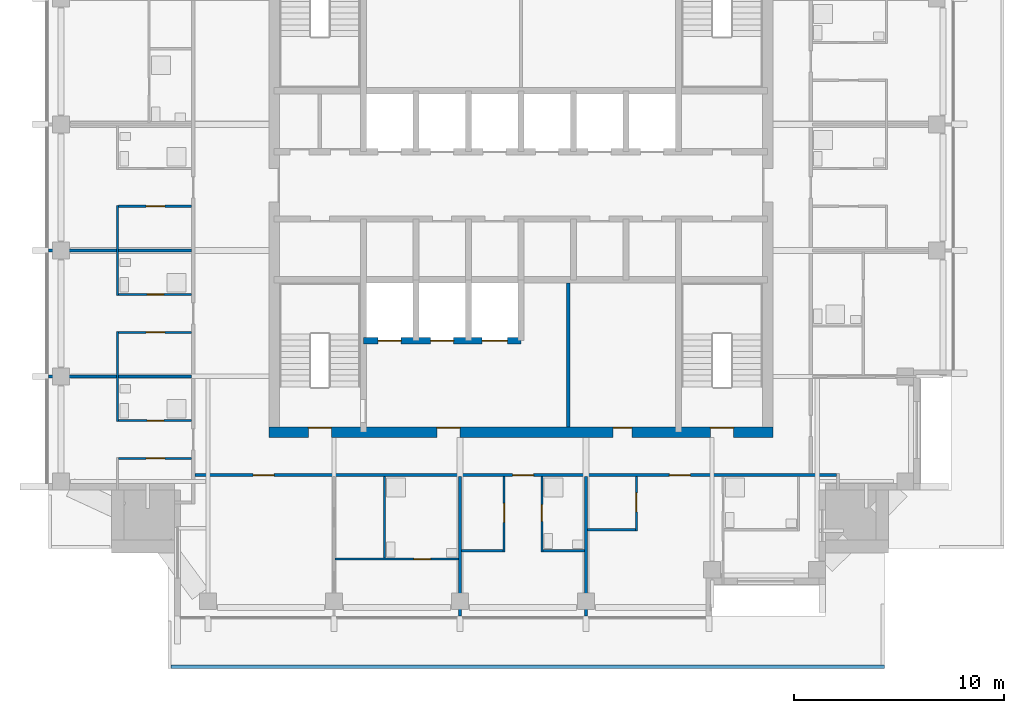
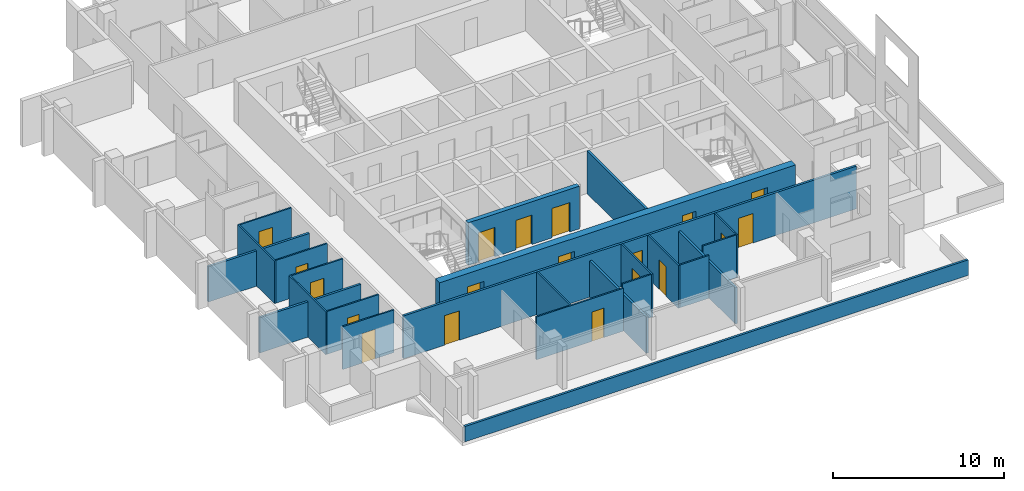
# One storey, part 4 of 11: 24 walls, 19 doors, 19 openings.
"""IFC4 building model written with IfcOpenShell, lengths in metres."""

import ifcopenshell
import ifcopenshell.guid

model = None  # the IFC model being written
_history = None  # IfcOwnerHistory: only IFC2X3 demands one
_inside = {}  # id of a spatial element -> (the spatial element, [elements in it])
_under = {}  # id of a project, library or spatial element -> (it, [spatial elements below it])
_declared = {}  # id of a project -> (the project, [libraries it declares])
_typed = {}  # id of a type object -> (the type object, [elements of that type])
_made_of = {}  # id of a material, layer set ... -> (it, [elements and type objects made of it])


def new_model(schema):
    """Start an empty IFC model of exactly this schema.

    Asked for "IFC4X3", IfcOpenShell would pick the latest addendum, in which some entities
    have other attributes; the version numbers below select the first issue.
    IFC2X3 requires an IfcOwnerHistory on every rooted entity: one is made here for all.
    """
    global model, _history
    if schema == "IFC4X3":
        model = ifcopenshell.file(schema_version=(4, 3, 0, 0))
    else:
        model = ifcopenshell.file(schema=schema)
    _inside.clear()
    _under.clear()
    _declared.clear()
    _typed.clear()
    _made_of.clear()
    _history = None
    if model.schema == "IFC2X3":
        org = make("IfcOrganization", Name="unknown")
        user = make(
            "IfcPersonAndOrganization",
            ThePerson=make("IfcPerson", FamilyName="unknown"),
            TheOrganization=org,
        )
        app = make(
            "IfcApplication",
            ApplicationDeveloper=org,
            Version="unknown",
            ApplicationFullName="unknown",
            ApplicationIdentifier="unknown",
        )
        _history = make(
            "IfcOwnerHistory",
            OwningUser=user,
            OwningApplication=app,
            ChangeAction="ADDED",
            CreationDate=0,
        )
    return model


def make(cls, **values):
    """One entity of the class cls with the attributes given. An attribute that is None is left unset."""
    return model.create_entity(
        cls, **{name: value for name, value in values.items() if value is not None}
    )


def rooted(cls, **values):
    """An entity with a GlobalId (a new one), such as an element, a storey or a relation."""
    return make(cls, GlobalId=ifcopenshell.guid.new(), OwnerHistory=_history, **values)


def si_unit(unit_type, name, prefix=None):
    """IfcSIUnit, for example si_unit("LENGTHUNIT", "METRE", prefix="MILLI")."""
    return make("IfcSIUnit", UnitType=unit_type, Prefix=prefix, Name=name)


def assignment(units):
    """IfcUnitAssignment: the units of a project."""
    return None if units is None else make("IfcUnitAssignment", Units=units)


def point(xyz):
    """IfcCartesianPoint."""
    return None if xyz is None else make("IfcCartesianPoint", Coordinates=xyz)


def direction(xyz):
    """IfcDirection."""
    return None if xyz is None else make("IfcDirection", DirectionRatios=xyz)


def frame(location, z_axis=None, x_axis=None):
    """IfcAxis2Placement3D, a coordinate frame: its origin and axes. An axis left out is left unset."""
    return make(
        "IfcAxis2Placement3D",
        Location=point(location),
        Axis=direction(z_axis),
        RefDirection=direction(x_axis),
    )


def frame_2d(location, x_axis=None):
    """IfcAxis2Placement2D, a coordinate frame in the plane: its origin and x axis."""
    return make(
        "IfcAxis2Placement2D", Location=point(location), RefDirection=direction(x_axis)
    )


def origin():
    """The frame at (0, 0, 0) with its axes left unset."""
    return frame((0.0, 0.0, 0.0))


def place(relative_to, where):
    """IfcLocalPlacement: puts the frame where relative to a parent placement (None: the world)."""
    return make(
        "IfcLocalPlacement", PlacementRelTo=relative_to, RelativePlacement=where
    )


def context(
    kind, dimensions, precision=None, world=None, true_north=None, identifier=None
):
    """IfcGeometricRepresentationContext, for example the 3D "Model" context."""
    return make(
        "IfcGeometricRepresentationContext",
        ContextIdentifier=identifier,
        ContextType=kind,
        CoordinateSpaceDimension=dimensions,
        Precision=precision,
        WorldCoordinateSystem=world,
        TrueNorth=true_north,
    )


def subcontext(parent, identifier, kind, view, scale=None):
    """IfcGeometricRepresentationSubContext, for example "Body" below "Model"."""
    return make(
        "IfcGeometricRepresentationSubContext",
        ContextIdentifier=identifier,
        ContextType=kind,
        ParentContext=parent,
        TargetScale=scale,
        TargetView=view,
    )


def project(units=None, contexts=None):
    """IfcProject with its units and contexts."""
    return rooted(
        "IfcProject",
        Name="project",
        RepresentationContexts=contexts,
        UnitsInContext=assignment(units),
    )


def spatial(cls, under=None, at=None, **own):
    """A site, building, storey or space (cls), placed at a placement, below another one or the project."""
    s = rooted(cls, ObjectPlacement=at, **own)
    if under is not None:
        _under.setdefault(under.id(), (under, []))[1].append(s)
    return s


def profile(cls, at=None, kind="AREA", **sizes):
    """A parametric profile (cls). Its sizes go by their IFC names, for example OverallWidth=200.0."""
    return make(cls, ProfileType=kind, Position=at, **sizes)


def rectangle(**sizes):
    """IfcRectangleProfileDef."""
    return profile("IfcRectangleProfileDef", **sizes)


def extrude(swept, where, along, depth):
    """IfcExtrudedAreaSolid: the profile swept, set in the frame where, extruded along a direction by depth."""
    return make(
        "IfcExtrudedAreaSolid",
        SweptArea=swept,
        Position=where,
        ExtrudedDirection=direction(along),
        Depth=depth,
    )


def shape(context_of_items, identifier, shape_type, items):
    """IfcShapeRepresentation: the items that make up one representation, for example the "Body"."""
    return make(
        "IfcShapeRepresentation",
        ContextOfItems=context_of_items,
        RepresentationIdentifier=identifier,
        RepresentationType=shape_type,
        Items=items,
    )


def material(Name=None, Category=None):
    """IfcMaterial."""
    return make("IfcMaterial", Name=Name, Category=Category)


def layer(
    of_material, thickness, ventilated=None, Name=None, Category=None, Priority=None
):
    """IfcMaterialLayer: one layer of a wall or slab, of a material (None: an air gap)."""
    return make(
        "IfcMaterialLayer",
        Material=of_material,
        LayerThickness=thickness,
        IsVentilated=ventilated,
        Name=Name,
        Category=Category,
        Priority=Priority,
    )


def layer_set(layers, Name=None):
    """IfcMaterialLayerSet."""
    return make("IfcMaterialLayerSet", MaterialLayers=layers, LayerSetName=Name)


def made_of(thing, what):
    """Note that an element or type object is made of a material, layer set ...; save() writes the relation."""
    if what is not None:
        _made_of.setdefault(what.id(), (what, []))[1].append(thing)
    return thing


def type_object(cls, material=None, **own):
    """A type object (cls), such as IfcWallType, which elements share."""
    return made_of(rooted(cls, **own), material)


def element(
    cls,
    number,
    at=None,
    inside=None,
    cuts=None,
    type_object=None,
    material=None,
    context=None,
    identifier="Body",
    shape_type=None,
    held_by="IfcProductDefinitionShape",
    body=None,
    shapes=None,
    **own,
):
    """One element of the class cls, such as IfcWall. Its Tag is "e" and its number.

    at: its placement. inside: the storey or other place that contains it. cuts: it is an
    opening in that element (IfcRelVoidsElement). A single representation is given by context,
    identifier, shape_type and body (its items); several are given by shapes. held_by: the class
    of the entity that holds the representations. save() writes the other relations.
    """
    e = rooted(cls, Tag="e%d" % number, ObjectPlacement=at, **own)
    if body is not None:
        shapes = [shape(context, identifier, shape_type, body)]
    if shapes is not None:
        e.Representation = make(held_by, Representations=shapes)
    if inside is not None:
        _inside.setdefault(inside.id(), (inside, []))[1].append(e)
    if cuts is not None:
        rooted(
            "IfcRelVoidsElement", RelatingBuildingElement=cuts, RelatedOpeningElement=e
        )
    if type_object is not None:
        _typed.setdefault(type_object.id(), (type_object, []))[1].append(e)
    return made_of(e, material)


def fill(opening, filler):
    """IfcRelFillsElement: the door or window that sits in an opening."""
    return rooted(
        "IfcRelFillsElement",
        RelatingOpeningElement=opening,
        RelatedBuildingElement=filler,
    )


def aggregate(whole, parts):
    """IfcRelAggregates: a whole, such as a stair, and the parts it consists of."""
    return rooted("IfcRelAggregates", RelatingObject=whole, RelatedObjects=parts)


def save(model, path):
    """Write the relations noted so far, then the file.

    IfcRelAggregates (storeys below a building ...), IfcRelContainedInSpatialStructure (elements
    in a storey), IfcRelDefinesByType, IfcRelAssociatesMaterial and IfcRelDeclares: one each for
    every whole, place, type object, material and project.
    """
    for whole, parts in _under.values():
        aggregate(whole, parts)
    for where, things in _inside.values():
        rooted(
            "IfcRelContainedInSpatialStructure",
            RelatedElements=things,
            RelatingStructure=where,
        )
    for kind, things in _typed.values():
        rooted("IfcRelDefinesByType", RelatedObjects=things, RelatingType=kind)
    for what, things in _made_of.values():
        rooted("IfcRelAssociatesMaterial", RelatedObjects=things, RelatingMaterial=what)
    for by, libraries in _declared.values():
        rooted("IfcRelDeclares", RelatingContext=by, RelatedDefinitions=libraries)
    model.write(path)


model = new_model("IFC4")

# Units and contexts
model_context = context("Model", 3, precision=1e-05, world=origin(), true_north=direction((0.0, 1.0)))
body_context = subcontext(model_context, "Body", "Model", "MODEL_VIEW")
ifc_project = project(units=[si_unit("LENGTHUNIT", "METRE"), si_unit("AREAUNIT", "SQUARE_METRE"), si_unit("VOLUMEUNIT", "CUBIC_METRE"), si_unit("PLANEANGLEUNIT", "RADIAN"), si_unit("MASSUNIT", "GRAM", prefix="KILO")], contexts=[model_context])

# Site, building, storey
site_placement = place(None, origin())
site = spatial("IfcSite", under=ifc_project, at=site_placement, CompositionType="ELEMENT")
building_placement = place(site_placement, origin())
building = spatial("IfcBuilding", under=site, at=building_placement, Name="Amberfall Residences", CompositionType="ELEMENT")
storey_placement = place(building_placement, frame((0.0, 0.0, 238.89990234375)))
storey = spatial("IfcBuildingStorey", under=building, at=storey_placement, Name="L63", CompositionType="ELEMENT", Elevation=238.89990234375)

# Wall, openings, doors
ifc_material_1 = material(Name="Concrete C50", Category="concrete")
ifc_layer_1 = layer(ifc_material_1, 0.300048828125)
ifc_layer_set_1 = layer_set([ifc_layer_1], Name="Core wall 300 C50")
wall_type_1 = type_object("IfcWallType", Name="Core wall 300 C50", PredefinedType="SHEAR", material=ifc_layer_set_1)
wall_1_placement = place(storey_placement, frame((67.0, 38.10009765625, 0.0), z_axis=(0.0, 0.0, 1.0), x_axis=(1.0, 0.0, 0.0)))
wall_1 = element("IfcWall", 1, at=wall_1_placement, inside=storey, type_object=wall_type_1, Name="Core wall RW10 L63 FFF", PredefinedType="SHEAR", context=body_context, shape_type="SweptSolid", body=[
    extrude(rectangle(XDim=7.5, YDim=0.300048828125, at=frame_2d((3.75, 0.0))), origin(), (0.0, 0.0, 1.0), 3.050048828125),
])
opening_1_placement = place(wall_1_placement, frame((0.699951171875, 0.0, 0.0)))
opening_1 = element("IfcOpeningElement", 2, at=opening_1_placement, cuts=wall_1, Name="Opening LD2", PredefinedType="OPENING", context=body_context, shape_type="SweptSolid", body=[
    extrude(rectangle(XDim=1.10009765625, YDim=2.10009765625, at=frame_2d((0.550048828125, 1.050048828125))), frame((0.0, 0.159912109375, 0.0), z_axis=(0.0, -1.0, 0.0), x_axis=(1.0, 0.0, 0.0)), (0.0, 0.0, 1.0), 0.320068359375),
])
opening_2_placement = place(wall_1_placement, frame((3.199951171875, 0.0, 0.0)))
opening_2 = element("IfcOpeningElement", 3, at=opening_2_placement, cuts=wall_1, Name="Opening LD2", PredefinedType="OPENING", context=body_context, shape_type="SweptSolid", body=[
    extrude(rectangle(XDim=1.10009765625, YDim=2.10009765625, at=frame_2d((0.550048828125, 1.050048828125))), frame((0.0, 0.159912109375, 0.0), z_axis=(0.0, -1.0, 0.0), x_axis=(1.0, 0.0, 0.0)), (0.0, 0.0, 1.0), 0.320068359375),
])
opening_3_placement = place(wall_1_placement, frame((5.64990234375, 0.0, 0.0)))
opening_3 = element("IfcOpeningElement", 4, at=opening_3_placement, cuts=wall_1, Name="Opening LD3", PredefinedType="OPENING", context=body_context, shape_type="SweptSolid", body=[
    extrude(rectangle(XDim=1.199951171875, YDim=2.10009765625, at=frame_2d((0.60009765625, 1.050048828125))), frame((0.0, 0.159912109375, 0.0), z_axis=(0.0, -1.0, 0.0), x_axis=(1.0, 0.0, 0.0)), (0.0, 0.0, 1.0), 0.320068359375),
])
ifc_material_2 = material(Name="Steel fire door set", Category="steel")
door_type_1 = type_object("IfcDoorType", Name="Firefighting lift landing door 1100 x 2100", OperationType="DOUBLE_DOOR_SLIDING", PredefinedType="DOOR", material=ifc_material_2)
door_1_placement = place(opening_1_placement, origin())
door_1 = element("IfcDoor", 5, at=door_1_placement, inside=storey, type_object=door_type_1, Name="Landing door FF1 L63", OperationType="DOUBLE_DOOR_SLIDING", OverallHeight=2.10009765625, OverallWidth=1.10009765625, PredefinedType="DOOR", context=body_context, shape_type="SweptSolid", body=[
    extrude(rectangle(XDim=1.10009765625, YDim=2.10009765625, at=frame_2d((0.550048828125, 1.050048828125))), frame((0.0, 0.02490234375, 0.0), z_axis=(0.0, -1.0, 0.0), x_axis=(1.0, 0.0, 0.0)), (0.0, 0.0, 1.0), 0.050048828125),
])
fill(opening_1, door_1)
door_2_placement = place(opening_2_placement, origin())
door_2 = element("IfcDoor", 6, at=door_2_placement, inside=storey, type_object=door_type_1, Name="Landing door FF2 L63", OperationType="DOUBLE_DOOR_SLIDING", OverallHeight=2.10009765625, OverallWidth=1.10009765625, PredefinedType="DOOR", context=body_context, shape_type="SweptSolid", body=[
    extrude(rectangle(XDim=1.10009765625, YDim=2.10009765625, at=frame_2d((0.550048828125, 1.050048828125))), frame((0.0, 0.02490234375, 0.0), z_axis=(0.0, -1.0, 0.0), x_axis=(1.0, 0.0, 0.0)), (0.0, 0.0, 1.0), 0.050048828125),
])
fill(opening_2, door_2)
door_type_2 = type_object("IfcDoorType", Name="Service lift landing door 1200 x 2100", OperationType="DOUBLE_DOOR_SLIDING", PredefinedType="DOOR", material=ifc_material_2)
door_3_placement = place(opening_3_placement, origin())
door_3 = element("IfcDoor", 7, at=door_3_placement, inside=storey, type_object=door_type_2, Name="Landing door SL1 L63", OperationType="DOUBLE_DOOR_SLIDING", OverallHeight=2.10009765625, OverallWidth=1.199951171875, PredefinedType="DOOR", context=body_context, shape_type="SweptSolid", body=[
    extrude(rectangle(XDim=1.199951171875, YDim=2.10009765625, at=frame_2d((0.60009765625, 1.050048828125))), frame((0.0, 0.02490234375, 0.0), z_axis=(0.0, -1.0, 0.0), x_axis=(1.0, 0.0, 0.0)), (0.0, 0.0, 1.0), 0.050048828125),
])
fill(opening_3, door_3)

ifc_layer_2 = layer(ifc_material_1, 0.5)
ifc_layer_set_2 = layer_set([ifc_layer_2], Name="Core wall 500 C50")
wall_type_2 = type_object("IfcWallType", Name="Core wall 500 C50", PredefinedType="SHEAR", material=ifc_layer_set_2)
wall_2_placement = place(storey_placement, frame((62.5, 33.75, 0.0), z_axis=(0.0, 0.0, 1.0), x_axis=(1.0, 0.0, 0.0)))
wall_2 = element("IfcWall", 8, at=wall_2_placement, inside=storey, type_object=wall_type_2, Name="Core wall RW9 L63 OS", PredefinedType="SHEAR", context=body_context, shape_type="SweptSolid", body=[
    extrude(rectangle(XDim=24.0, YDim=0.5, at=frame_2d((12.0, 0.0))), origin(), (0.0, 0.0, 1.0), 3.050048828125),
])
opening_4_placement = place(wall_2_placement, frame((1.875, 0.0, 0.0)))
opening_4 = element("IfcOpeningElement", 9, at=opening_4_placement, cuts=wall_2, Name="Opening SD1", PredefinedType="OPENING", context=body_context, shape_type="SweptSolid", body=[
    extrude(rectangle(XDim=1.10009765625, YDim=2.10009765625, at=frame_2d((0.550048828125, 1.050048828125))), frame((0.0, 0.260009765625, 0.0), z_axis=(0.0, -1.0, 0.0), x_axis=(1.0, 0.0, 0.0)), (0.0, 0.0, 1.0), 0.52001953125),
])
opening_5_placement = place(wall_2_placement, frame((21.02490234375, 0.0, 0.0)))
opening_5 = element("IfcOpeningElement", 10, at=opening_5_placement, cuts=wall_2, Name="Opening SD1", PredefinedType="OPENING", context=body_context, shape_type="SweptSolid", body=[
    extrude(rectangle(XDim=1.10009765625, YDim=2.10009765625, at=frame_2d((0.550048828125, 1.050048828125))), frame((0.0, 0.260009765625, 0.0), z_axis=(0.0, -1.0, 0.0), x_axis=(1.0, 0.0, 0.0)), (0.0, 0.0, 1.0), 0.52001953125),
])
opening_6_placement = place(wall_2_placement, frame((8.0, 0.0, 0.0)))
opening_6 = element("IfcOpeningElement", 11, at=opening_6_placement, cuts=wall_2, Name="Opening FL1", PredefinedType="OPENING", context=body_context, shape_type="SweptSolid", body=[
    extrude(rectangle(XDim=1.10009765625, YDim=2.10009765625, at=frame_2d((0.550048828125, 1.050048828125))), frame((0.0, 0.260009765625, 0.0), z_axis=(0.0, -1.0, 0.0), x_axis=(1.0, 0.0, 0.0)), (0.0, 0.0, 1.0), 0.52001953125),
])
opening_7_placement = place(wall_2_placement, frame((16.387451171875, 0.0, 0.0)))
opening_7 = element("IfcOpeningElement", 12, at=opening_7_placement, cuts=wall_2, Name="Opening RD1", PredefinedType="OPENING", context=body_context, shape_type="SweptSolid", body=[
    extrude(rectangle(XDim=0.89990234375, YDim=2.10009765625, at=frame_2d((0.449951171875, 1.050048828125))), frame((0.0, 0.260009765625, 0.0), z_axis=(0.0, -1.0, 0.0), x_axis=(1.0, 0.0, 0.0)), (0.0, 0.0, 1.0), 0.52001953125),
])
door_type_3 = type_object("IfcDoorType", Name="Firefighting lobby door 1100 x 2100", OperationType="SINGLE_SWING_LEFT", PredefinedType="DOOR", material=ifc_material_2)
door_4_placement = place(opening_6_placement, origin())
door_4 = element("IfcDoor", 13, at=door_4_placement, inside=storey, type_object=door_type_3, Name="FL1 L63", OperationType="SINGLE_SWING_LEFT", OverallHeight=2.10009765625, OverallWidth=1.10009765625, PredefinedType="DOOR", context=body_context, shape_type="SweptSolid", body=[
    extrude(rectangle(XDim=1.10009765625, YDim=2.10009765625, at=frame_2d((0.550048828125, 1.050048828125))), frame((0.0, 0.2373046875, 0.0), z_axis=(0.0, -1.0, 0.0), x_axis=(1.0, 0.0, 0.0)), (0.0, 0.0, 1.0), 0.050048828125),
])
fill(opening_6, door_4)
door_type_4 = type_object("IfcDoorType", Name="Service room door 900 x 2100", OperationType="SINGLE_SWING_LEFT", PredefinedType="DOOR", material=ifc_material_2)
door_5_placement = place(opening_7_placement, origin())
door_5 = element("IfcDoor", 14, at=door_5_placement, inside=storey, type_object=door_type_4, Name="RD1 L63", OperationType="SINGLE_SWING_LEFT", OverallHeight=2.10009765625, OverallWidth=0.89990234375, PredefinedType="DOOR", context=body_context, shape_type="SweptSolid", body=[
    extrude(rectangle(XDim=0.89990234375, YDim=2.10009765625, at=frame_2d((0.449951171875, 1.050048828125))), frame((0.0, 0.2373046875, 0.0), z_axis=(0.0, -1.0, 0.0), x_axis=(1.0, 0.0, 0.0)), (0.0, 0.0, 1.0), 0.050048828125),
])
fill(opening_7, door_5)
door_type_5 = type_object("IfcDoorType", Name="Stair door 1100 x 2100", OperationType="SINGLE_SWING_LEFT", PredefinedType="DOOR", material=ifc_material_2)
door_6_placement = place(opening_4_placement, origin())
door_6 = element("IfcDoor", 15, at=door_6_placement, inside=storey, type_object=door_type_5, Name="SD1 L63", OperationType="SINGLE_SWING_LEFT", OverallHeight=2.10009765625, OverallWidth=1.10009765625, PredefinedType="DOOR", context=body_context, shape_type="SweptSolid", body=[
    extrude(rectangle(XDim=1.10009765625, YDim=2.10009765625, at=frame_2d((0.550048828125, 1.050048828125))), frame((0.0, 0.2373046875, 0.0), z_axis=(0.0, -1.0, 0.0), x_axis=(1.0, 0.0, 0.0)), (0.0, 0.0, 1.0), 0.050048828125),
])
fill(opening_4, door_6)
door_7_placement = place(opening_5_placement, origin())
door_7 = element("IfcDoor", 16, at=door_7_placement, inside=storey, type_object=door_type_5, Name="SD1 L63", OperationType="SINGLE_SWING_RIGHT", OverallHeight=2.10009765625, OverallWidth=1.10009765625, PredefinedType="DOOR", context=body_context, shape_type="SweptSolid", body=[
    extrude(rectangle(XDim=1.10009765625, YDim=2.10009765625, at=frame_2d((0.550048828125, 1.050048828125))), frame((0.0, 0.2373046875, 0.0), z_axis=(0.0, -1.0, 0.0), x_axis=(1.0, 0.0, 0.0)), (0.0, 0.0, 1.0), 0.050048828125),
])
fill(opening_5, door_7)

# Walls
ifc_material_3 = material(Name="Gypsum board on metal stud")
ifc_layer_3 = layer(ifc_material_3, 0.10009765625)
ifc_layer_set_3 = layer_set([ifc_layer_3], Name="Flat partition 100")
wall_type_3 = type_object("IfcWallType", Name="Flat partition 100", PredefinedType="PARTITIONING", material=ifc_layer_set_3)
for number, where, z_axis, x_axis, name in (
    (17, (55.300048828125, 34.25, 0.0), (0.0, 0.0, 1.0), (0.0, 1.0, 0.0), "Partition 002"),
    (18, (55.300048828125, 40.25, 0.0), (0.0, 0.0, 1.0), (0.0, 1.0, 0.0), "Partition 003"),
):
    element("IfcWall", number, at=place(storey_placement, frame(where, z_axis=z_axis, x_axis=x_axis)), inside=storey, type_object=wall_type_3, Name=name, PredefinedType="PARTITIONING", context=body_context, shape_type="SweptSolid", body=[
        extrude(rectangle(XDim=4.300048828125, YDim=0.10009765625, at=frame_2d((2.14990234375, 0.0))), origin(), (0.0, 0.0, 1.0), 3.050048828125),
    ])
wall_3_placement = place(storey_placement, frame((68.0, 27.75, 0.0), z_axis=(0.0, 0.0, 1.0), x_axis=(0.0, 1.0, 0.0)))
element("IfcWall", 19, at=wall_3_placement, inside=storey, type_object=wall_type_3, Name="Partition 009", PredefinedType="PARTITIONING", context=body_context, shape_type="SweptSolid", body=[
    extrude(rectangle(XDim=3.875, YDim=0.10009765625, at=frame_2d((1.9375, 0.0))), origin(), (0.0, 0.0, 1.0), 3.050048828125),
])

# Wall, opening, door
wall_4_placement = place(storey_placement, frame((73.699951171875, 28.050048828125, 0.0), z_axis=(0.0, 0.0, 1.0), x_axis=(0.0, 1.0, 0.0)))
wall_4 = element("IfcWall", 20, at=wall_4_placement, inside=storey, type_object=wall_type_3, Name="Partition 012", PredefinedType="PARTITIONING", context=body_context, shape_type="SweptSolid", body=[
    extrude(rectangle(XDim=3.574951171875, YDim=0.10009765625, at=frame_2d((1.78759765625, 0.0))), origin(), (0.0, 0.0, 1.0), 3.050048828125),
])
opening_8_placement = place(wall_4_placement, frame((1.39990234375, 0.0, 0.0)))
opening_8 = element("IfcOpeningElement", 21, at=opening_8_placement, cuts=wall_4, Name="Opening D41", PredefinedType="OPENING", context=body_context, shape_type="SweptSolid", body=[
    extrude(rectangle(XDim=0.89990234375, YDim=2.10009765625, at=frame_2d((0.449951171875, 1.050048828125))), frame((0.0, 0.06005859375, 0.0), z_axis=(0.0, -1.0, 0.0), x_axis=(1.0, 0.0, 0.0)), (0.0, 0.0, 1.0), 0.1201171875),
])
ifc_material_4 = material(Name="Timber", Category="wood")
door_type_6 = type_object("IfcDoorType", Name="Internal door 900 x 2100", OperationType="SINGLE_SWING_LEFT", PredefinedType="DOOR", material=ifc_material_4)
door_8_placement = place(opening_8_placement, origin())
door_8 = element("IfcDoor", 22, at=door_8_placement, inside=storey, type_object=door_type_6, Name="Door 6302 kitchen", OperationType="SINGLE_SWING_LEFT", OverallHeight=2.10009765625, OverallWidth=0.89990234375, PredefinedType="DOOR", context=body_context, shape_type="SweptSolid", body=[
    extrude(rectangle(XDim=0.89990234375, YDim=2.10009765625, at=frame_2d((0.449951171875, 1.050048828125))), frame((0.0, 0.02490234375, 0.0), z_axis=(0.0, -1.0, 0.0), x_axis=(1.0, 0.0, 0.0)), (0.0, 0.0, 1.0), 0.050048828125),
])
fill(opening_8, door_8)

wall_5_placement = place(storey_placement, frame((75.5, 31.625, 0.0), z_axis=(0.0, 0.0, 1.0), x_axis=(0.0, -1.0, 0.0)))
wall_5 = element("IfcWall", 23, at=wall_5_placement, inside=storey, type_object=wall_type_3, Name="Partition 014", PredefinedType="PARTITIONING", context=body_context, shape_type="SweptSolid", body=[
    extrude(rectangle(XDim=3.574951171875, YDim=0.10009765625, at=frame_2d((1.78759765625, 0.0))), origin(), (0.0, 0.0, 1.0), 3.050048828125),
])
opening_9_placement = place(wall_5_placement, frame((1.324951171875, 0.0, 0.0)))
opening_9 = element("IfcOpeningElement", 24, at=opening_9_placement, cuts=wall_5, Name="Opening D42", PredefinedType="OPENING", context=body_context, shape_type="SweptSolid", body=[
    extrude(rectangle(XDim=0.800048828125, YDim=2.10009765625, at=frame_2d((0.39990234375, 1.050048828125))), frame((0.0, 0.06005859375, 0.0), z_axis=(0.0, -1.0, 0.0), x_axis=(1.0, 0.0, 0.0)), (0.0, 0.0, 1.0), 0.1201171875),
])
door_type_7 = type_object("IfcDoorType", Name="Bathroom door 800 x 2100", OperationType="SINGLE_SWING_LEFT", PredefinedType="DOOR", material=ifc_material_4)
door_9_placement = place(opening_9_placement, origin())
door_9 = element("IfcDoor", 25, at=door_9_placement, inside=storey, type_object=door_type_7, Name="Door 6302 bath1", OperationType="SINGLE_SWING_LEFT", OverallHeight=2.10009765625, OverallWidth=0.800048828125, PredefinedType="DOOR", context=body_context, shape_type="SweptSolid", body=[
    extrude(rectangle(XDim=0.800048828125, YDim=2.10009765625, at=frame_2d((0.39990234375, 1.050048828125))), frame((0.0, 0.02490234375, 0.0), z_axis=(0.0, -1.0, 0.0), x_axis=(1.0, 0.0, 0.0)), (0.0, 0.0, 1.0), 0.050048828125),
])
fill(opening_9, door_9)

wall_6_placement = place(storey_placement, frame((80.0, 29.050048828125, 0.0), z_axis=(0.0, 0.0, 1.0), x_axis=(0.0, 1.0, 0.0)))
wall_6 = element("IfcWall", 26, at=wall_6_placement, inside=storey, type_object=wall_type_3, Name="Partition 015", PredefinedType="PARTITIONING", context=body_context, shape_type="SweptSolid", body=[
    extrude(rectangle(XDim=2.574951171875, YDim=0.10009765625, at=frame_2d((1.28759765625, 0.0))), origin(), (0.0, 0.0, 1.0), 3.050048828125),
])
opening_10_placement = place(wall_6_placement, frame((0.89990234375, 0.0, 0.0)))
opening_10 = element("IfcOpeningElement", 27, at=opening_10_placement, cuts=wall_6, Name="Opening D41", PredefinedType="OPENING", context=body_context, shape_type="SweptSolid", body=[
    extrude(rectangle(XDim=0.89990234375, YDim=2.10009765625, at=frame_2d((0.449951171875, 1.050048828125))), frame((0.0, 0.06005859375, 0.0), z_axis=(0.0, -1.0, 0.0), x_axis=(1.0, 0.0, 0.0)), (0.0, 0.0, 1.0), 0.1201171875),
])
door_10_placement = place(opening_10_placement, origin())
door_10 = element("IfcDoor", 28, at=door_10_placement, inside=storey, type_object=door_type_6, Name="Door 6303 kitchen", OperationType="SINGLE_SWING_LEFT", OverallHeight=2.10009765625, OverallWidth=0.89990234375, PredefinedType="DOOR", context=body_context, shape_type="SweptSolid", body=[
    extrude(rectangle(XDim=0.89990234375, YDim=2.10009765625, at=frame_2d((0.449951171875, 1.050048828125))), frame((0.0, 0.02490234375, 0.0), z_axis=(0.0, -1.0, 0.0), x_axis=(1.0, 0.0, 0.0)), (0.0, 0.0, 1.0), 0.050048828125),
])
fill(opening_10, door_10)

wall_7_placement = place(storey_placement, frame((58.824951171875, 44.5, 0.0), z_axis=(0.0, 0.0, 1.0), x_axis=(-1.0, 0.0, 0.0)))
wall_7 = element("IfcWall", 29, at=wall_7_placement, inside=storey, type_object=wall_type_3, Name="Partition 038", PredefinedType="PARTITIONING", context=body_context, shape_type="SweptSolid", body=[
    extrude(rectangle(XDim=3.474853515625, YDim=0.10009765625, at=frame_2d((1.7373046875, 0.0))), origin(), (0.0, 0.0, 1.0), 3.050048828125),
])
opening_11_placement = place(wall_7_placement, frame((1.27490234375, 0.0, 0.0)))
opening_11 = element("IfcOpeningElement", 30, at=opening_11_placement, cuts=wall_7, Name="Opening D41", PredefinedType="OPENING", context=body_context, shape_type="SweptSolid", body=[
    extrude(rectangle(XDim=0.89990234375, YDim=2.10009765625, at=frame_2d((0.449951171875, 1.050048828125))), frame((0.0, 0.06005859375, 0.0), z_axis=(0.0, -1.0, 0.0), x_axis=(1.0, 0.0, 0.0)), (0.0, 0.0, 1.0), 0.1201171875),
])
door_11_placement = place(opening_11_placement, origin())
door_11 = element("IfcDoor", 31, at=door_11_placement, inside=storey, type_object=door_type_6, Name="Door 6313 kitchen", OperationType="SINGLE_SWING_LEFT", OverallHeight=2.10009765625, OverallWidth=0.89990234375, PredefinedType="DOOR", context=body_context, shape_type="SweptSolid", body=[
    extrude(rectangle(XDim=0.89990234375, YDim=2.10009765625, at=frame_2d((0.449951171875, 1.050048828125))), frame((0.0, 0.02490234375, 0.0), z_axis=(0.0, -1.0, 0.0), x_axis=(1.0, 0.0, 0.0)), (0.0, 0.0, 1.0), 0.050048828125),
])
fill(opening_11, door_11)

wall_8_placement = place(storey_placement, frame((55.35009765625, 40.300048828125, 0.0), z_axis=(0.0, 0.0, 1.0), x_axis=(1.0, 0.0, 0.0)))
wall_8 = element("IfcWall", 32, at=wall_8_placement, inside=storey, type_object=wall_type_3, Name="Partition 040", PredefinedType="PARTITIONING", context=body_context, shape_type="SweptSolid", body=[
    extrude(rectangle(XDim=3.474853515625, YDim=0.10009765625, at=frame_2d((1.7373046875, 0.0))), origin(), (0.0, 0.0, 1.0), 3.050048828125),
])
opening_12_placement = place(wall_8_placement, frame((1.35009765625, 0.0, 0.0)))
opening_12 = element("IfcOpeningElement", 33, at=opening_12_placement, cuts=wall_8, Name="Opening D42", PredefinedType="OPENING", context=body_context, shape_type="SweptSolid", body=[
    extrude(rectangle(XDim=0.800048828125, YDim=2.10009765625, at=frame_2d((0.39990234375, 1.050048828125))), frame((0.0, 0.06005859375, 0.0), z_axis=(0.0, -1.0, 0.0), x_axis=(1.0, 0.0, 0.0)), (0.0, 0.0, 1.0), 0.1201171875),
])
door_12_placement = place(opening_12_placement, origin())
door_12 = element("IfcDoor", 34, at=door_12_placement, inside=storey, type_object=door_type_7, Name="Door 6312 bath1", OperationType="SINGLE_SWING_LEFT", OverallHeight=2.10009765625, OverallWidth=0.800048828125, PredefinedType="DOOR", context=body_context, shape_type="SweptSolid", body=[
    extrude(rectangle(XDim=0.800048828125, YDim=2.10009765625, at=frame_2d((0.39990234375, 1.050048828125))), frame((0.0, 0.02490234375, 0.0), z_axis=(0.0, -1.0, 0.0), x_axis=(1.0, 0.0, 0.0)), (0.0, 0.0, 1.0), 0.050048828125),
])
fill(opening_12, door_12)

wall_9_placement = place(storey_placement, frame((58.824951171875, 38.5, 0.0), z_axis=(0.0, 0.0, 1.0), x_axis=(-1.0, 0.0, 0.0)))
wall_9 = element("IfcWall", 35, at=wall_9_placement, inside=storey, type_object=wall_type_3, Name="Partition 042", PredefinedType="PARTITIONING", context=body_context, shape_type="SweptSolid", body=[
    extrude(rectangle(XDim=3.474853515625, YDim=0.10009765625, at=frame_2d((1.7373046875, 0.0))), origin(), (0.0, 0.0, 1.0), 3.050048828125),
])
opening_13_placement = place(wall_9_placement, frame((1.27490234375, 0.0, 0.0)))
opening_13 = element("IfcOpeningElement", 36, at=opening_13_placement, cuts=wall_9, Name="Opening D41", PredefinedType="OPENING", context=body_context, shape_type="SweptSolid", body=[
    extrude(rectangle(XDim=0.89990234375, YDim=2.10009765625, at=frame_2d((0.449951171875, 1.050048828125))), frame((0.0, 0.06005859375, 0.0), z_axis=(0.0, -1.0, 0.0), x_axis=(1.0, 0.0, 0.0)), (0.0, 0.0, 1.0), 0.1201171875),
])
door_13_placement = place(opening_13_placement, origin())
door_13 = element("IfcDoor", 37, at=door_13_placement, inside=storey, type_object=door_type_6, Name="Door 6312 kitchen", OperationType="SINGLE_SWING_LEFT", OverallHeight=2.10009765625, OverallWidth=0.89990234375, PredefinedType="DOOR", context=body_context, shape_type="SweptSolid", body=[
    extrude(rectangle(XDim=0.89990234375, YDim=2.10009765625, at=frame_2d((0.449951171875, 1.050048828125))), frame((0.0, 0.02490234375, 0.0), z_axis=(0.0, -1.0, 0.0), x_axis=(1.0, 0.0, 0.0)), (0.0, 0.0, 1.0), 0.050048828125),
])
fill(opening_13, door_13)

wall_10_placement = place(storey_placement, frame((55.35009765625, 34.300048828125, 0.0), z_axis=(0.0, 0.0, 1.0), x_axis=(1.0, 0.0, 0.0)))
wall_10 = element("IfcWall", 38, at=wall_10_placement, inside=storey, type_object=wall_type_3, Name="Partition 044", PredefinedType="PARTITIONING", context=body_context, shape_type="SweptSolid", body=[
    extrude(rectangle(XDim=3.474853515625, YDim=0.10009765625, at=frame_2d((1.7373046875, 0.0))), origin(), (0.0, 0.0, 1.0), 3.050048828125),
])
opening_14_placement = place(wall_10_placement, frame((1.35009765625, 0.0, 0.0)))
opening_14 = element("IfcOpeningElement", 39, at=opening_14_placement, cuts=wall_10, Name="Opening D42", PredefinedType="OPENING", context=body_context, shape_type="SweptSolid", body=[
    extrude(rectangle(XDim=0.800048828125, YDim=2.10009765625, at=frame_2d((0.39990234375, 1.050048828125))), frame((0.0, 0.06005859375, 0.0), z_axis=(0.0, -1.0, 0.0), x_axis=(1.0, 0.0, 0.0)), (0.0, 0.0, 1.0), 0.1201171875),
])
door_14_placement = place(opening_14_placement, origin())
door_14 = element("IfcDoor", 40, at=door_14_placement, inside=storey, type_object=door_type_7, Name="Door 6311 bath1", OperationType="SINGLE_SWING_LEFT", OverallHeight=2.10009765625, OverallWidth=0.800048828125, PredefinedType="DOOR", context=body_context, shape_type="SweptSolid", body=[
    extrude(rectangle(XDim=0.800048828125, YDim=2.10009765625, at=frame_2d((0.39990234375, 1.050048828125))), frame((0.0, 0.02490234375, 0.0), z_axis=(0.0, -1.0, 0.0), x_axis=(1.0, 0.0, 0.0)), (0.0, 0.0, 1.0), 0.050048828125),
])
fill(opening_14, door_14)

wall_11_placement = place(storey_placement, frame((58.824951171875, 32.5, 0.0), z_axis=(0.0, 0.0, 1.0), x_axis=(-1.0, 0.0, 0.0)))
wall_11 = element("IfcWall", 41, at=wall_11_placement, inside=storey, type_object=wall_type_3, Name="Partition 045", PredefinedType="PARTITIONING", context=body_context, shape_type="SweptSolid", body=[
    extrude(rectangle(XDim=3.474853515625, YDim=0.10009765625, at=frame_2d((1.7373046875, 0.0))), origin(), (0.0, 0.0, 1.0), 3.050048828125),
])
opening_15_placement = place(wall_11_placement, frame((1.27490234375, 0.0, 0.0)))
opening_15 = element("IfcOpeningElement", 42, at=opening_15_placement, cuts=wall_11, Name="Opening D41", PredefinedType="OPENING", context=body_context, shape_type="SweptSolid", body=[
    extrude(rectangle(XDim=0.89990234375, YDim=2.10009765625, at=frame_2d((0.449951171875, 1.050048828125))), frame((0.0, 0.06005859375, 0.0), z_axis=(0.0, -1.0, 0.0), x_axis=(1.0, 0.0, 0.0)), (0.0, 0.0, 1.0), 0.1201171875),
])
door_15_placement = place(opening_15_placement, origin())
door_15 = element("IfcDoor", 43, at=door_15_placement, inside=storey, type_object=door_type_6, Name="Door 6311 kitchen", OperationType="SINGLE_SWING_LEFT", OverallHeight=2.10009765625, OverallWidth=0.89990234375, PredefinedType="DOOR", context=body_context, shape_type="SweptSolid", body=[
    extrude(rectangle(XDim=0.89990234375, YDim=2.10009765625, at=frame_2d((0.449951171875, 1.050048828125))), frame((0.0, 0.02490234375, 0.0), z_axis=(0.0, -1.0, 0.0), x_axis=(1.0, 0.0, 0.0)), (0.0, 0.0, 1.0), 0.050048828125),
])
fill(opening_15, door_15)

# Walls
wall_12_placement = place(storey_placement, frame((77.675048828125, 29.10009765625, 0.0), z_axis=(0.0, 0.0, 1.0), x_axis=(1.0, 0.0, 0.0)))
element("IfcWall", 44, at=wall_12_placement, inside=storey, type_object=wall_type_3, Name="Partition 046", PredefinedType="PARTITIONING", context=body_context, shape_type="SweptSolid", body=[
    extrude(rectangle(XDim=2.27490234375, YDim=0.10009765625, at=frame_2d((1.137451171875, 0.0))), origin(), (0.0, 0.0, 1.0), 3.050048828125),
])
for number, where, z_axis, x_axis, name in (
    (45, (71.675048828125, 28.10009765625, 0.0), (0.0, 0.0, 1.0), (1.0, 0.0, 0.0), "Partition 048"),
    (46, (75.550048828125, 28.10009765625, 0.0), (0.0, 0.0, 1.0), (1.0, 0.0, 0.0), "Partition 049"),
):
    element("IfcWall", number, at=place(storey_placement, frame(where, z_axis=z_axis, x_axis=x_axis)), inside=storey, type_object=wall_type_3, Name=name, PredefinedType="PARTITIONING", context=body_context, shape_type="SweptSolid", body=[
        extrude(rectangle(XDim=1.974853515625, YDim=0.10009765625, at=frame_2d((0.9873046875, 0.0))), origin(), (0.0, 0.0, 1.0), 3.050048828125),
    ])

# Wall, opening, door
wall_13_placement = place(storey_placement, frame((65.64990234375, 27.699951171875, 0.0), z_axis=(0.0, 0.0, 1.0), x_axis=(1.0, 0.0, 0.0)))
wall_13 = element("IfcWall", 47, at=wall_13_placement, inside=storey, type_object=wall_type_3, Name="Partition 050", PredefinedType="PARTITIONING", context=body_context, shape_type="SweptSolid", body=[
    extrude(rectangle(XDim=5.875, YDim=0.10009765625, at=frame_2d((2.9375, 0.0))), origin(), (0.0, 0.0, 1.0), 3.050048828125),
])
opening_16_placement = place(wall_13_placement, frame((3.75, 0.0, 0.0)))
opening_16 = element("IfcOpeningElement", 48, at=opening_16_placement, cuts=wall_13, Name="Opening D42", PredefinedType="OPENING", context=body_context, shape_type="SweptSolid", body=[
    extrude(rectangle(XDim=0.800048828125, YDim=2.10009765625, at=frame_2d((0.39990234375, 1.050048828125))), frame((0.0, 0.06005859375, 0.0), z_axis=(0.0, -1.0, 0.0), x_axis=(1.0, 0.0, 0.0)), (0.0, 0.0, 1.0), 0.1201171875),
])
door_16_placement = place(opening_16_placement, origin())
door_16 = element("IfcDoor", 49, at=door_16_placement, inside=storey, type_object=door_type_7, Name="Door 6301 bath1", OperationType="SINGLE_SWING_LEFT", OverallHeight=2.10009765625, OverallWidth=0.800048828125, PredefinedType="DOOR", context=body_context, shape_type="SweptSolid", body=[
    extrude(rectangle(XDim=0.800048828125, YDim=2.10009765625, at=frame_2d((0.39990234375, 1.050048828125))), frame((0.0, 0.02490234375, 0.0), z_axis=(0.0, -1.0, 0.0), x_axis=(1.0, 0.0, 0.0)), (0.0, 0.0, 1.0), 0.050048828125),
])
fill(opening_16, door_16)

# Walls
ifc_material_5 = material(Name="Blockwork, plastered", Category="masonry")
ifc_layer_4 = layer(ifc_material_5, 0.14990234375)
ifc_layer_set_4 = layer_set([ifc_layer_4], Name="Flat separating wall 150")
wall_type_4 = type_object("IfcWallType", Name="Flat separating wall 150", PredefinedType="PARTITIONING", material=ifc_layer_set_4)
for number, where, z_axis, x_axis, name in (
    (50, (71.60009765625, 25.0, 0.0), (0.0, 0.0, 1.0), (0.0, 1.0, 0.0), "Separating wall 054"),
    (51, (77.60009765625, 25.0, 0.0), (0.0, 0.0, 1.0), (0.0, 1.0, 0.0), "Separating wall 055"),
):
    element("IfcWall", number, at=place(storey_placement, frame(where, z_axis=z_axis, x_axis=x_axis)), inside=storey, type_object=wall_type_4, Name=name, PredefinedType="PARTITIONING", context=body_context, shape_type="SweptSolid", body=[
        extrude(rectangle(XDim=6.625, YDim=0.14990234375, at=frame_2d((3.3125, 0.0))), origin(), (0.0, 0.0, 1.0), 2.590087890625),
    ])
for number, where, z_axis, x_axis, name in (
    (52, (52.0, 42.39990234375, 0.0), (0.0, 0.0, 1.0), (1.0, 0.0, 0.0), "Separating wall 064"),
    (53, (52.0, 36.39990234375, 0.0), (0.0, 0.0, 1.0), (1.0, 0.0, 0.0), "Separating wall 066"),
):
    element("IfcWall", number, at=place(storey_placement, frame(where, z_axis=z_axis, x_axis=x_axis)), inside=storey, type_object=wall_type_4, Name=name, PredefinedType="PARTITIONING", context=body_context, shape_type="SweptSolid", body=[
        extrude(rectangle(XDim=6.824951171875, YDim=0.14990234375, at=frame_2d((3.41259765625, 0.0))), origin(), (0.0, 0.0, 1.0), 2.51611328125),
    ])

# Wall, openings, doors
wall_14_placement = place(storey_placement, frame((89.52490234375, 31.699951171875, 0.0), z_axis=(0.0, 0.0, 1.0), x_axis=(-1.0, 0.0, 0.0)))
wall_14 = element("IfcWall", 54, at=wall_14_placement, inside=storey, type_object=wall_type_4, Name="Separating wall 067", PredefinedType="PARTITIONING", context=body_context, shape_type="SweptSolid", body=[
    extrude(rectangle(XDim=30.5498046875, YDim=0.14990234375, at=frame_2d((15.27490234375, 0.0))), origin(), (0.0, 0.0, 1.0), 3.050048828125),
])
opening_17_placement = place(wall_14_placement, frame((26.77490234375, 0.0, 0.0)))
opening_17 = element("IfcOpeningElement", 55, at=opening_17_placement, cuts=wall_14, Name="Opening D40", PredefinedType="OPENING", context=body_context, shape_type="SweptSolid", body=[
    extrude(rectangle(XDim=1.0, YDim=2.10009765625, at=frame_2d((0.5, 1.050048828125))), frame((0.0, 0.0849609375, 0.0), z_axis=(0.0, -1.0, 0.0), x_axis=(1.0, 0.0, 0.0)), (0.0, 0.0, 1.0), 0.169921875),
])
opening_18_placement = place(wall_14_placement, frame((14.425048828125, 0.0, 0.0)))
opening_18 = element("IfcOpeningElement", 56, at=opening_18_placement, cuts=wall_14, Name="Opening D40", PredefinedType="OPENING", context=body_context, shape_type="SweptSolid", body=[
    extrude(rectangle(XDim=1.0, YDim=2.10009765625, at=frame_2d((0.5, 1.050048828125))), frame((0.0, 0.0849609375, 0.0), z_axis=(0.0, -1.0, 0.0), x_axis=(1.0, 0.0, 0.0)), (0.0, 0.0, 1.0), 0.169921875),
])
opening_19_placement = place(wall_14_placement, frame((6.96240234375, 0.0, 0.0)))
opening_19 = element("IfcOpeningElement", 57, at=opening_19_placement, cuts=wall_14, Name="Opening D40", PredefinedType="OPENING", context=body_context, shape_type="SweptSolid", body=[
    extrude(rectangle(XDim=1.0, YDim=2.10009765625, at=frame_2d((0.5, 1.050048828125))), frame((0.0, 0.0849609375, 0.0), z_axis=(0.0, -1.0, 0.0), x_axis=(1.0, 0.0, 0.0)), (0.0, 0.0, 1.0), 0.169921875),
])
ifc_material_6 = material(Name="Timber, fire-rated", Category="wood")
door_type_8 = type_object("IfcDoorType", Name="Flat entrance door FD60 1000 x 2100", OperationType="SINGLE_SWING_LEFT", PredefinedType="DOOR", material=ifc_material_6)
door_17_placement = place(opening_17_placement, origin())
door_17 = element("IfcDoor", 58, at=door_17_placement, inside=storey, type_object=door_type_8, Name="Door 6301 entrance", OperationType="SINGLE_SWING_LEFT", OverallHeight=2.10009765625, OverallWidth=1.0, PredefinedType="DOOR", context=body_context, shape_type="SweptSolid", body=[
    extrude(rectangle(XDim=1.0, YDim=2.10009765625, at=frame_2d((0.5, 1.050048828125))), frame((0.0, 0.02490234375, 0.0), z_axis=(0.0, -1.0, 0.0), x_axis=(1.0, 0.0, 0.0)), (0.0, 0.0, 1.0), 0.050048828125),
])
fill(opening_17, door_17)
door_18_placement = place(opening_18_placement, origin())
door_18 = element("IfcDoor", 59, at=door_18_placement, inside=storey, type_object=door_type_8, Name="Door 6302 entrance", OperationType="SINGLE_SWING_LEFT", OverallHeight=2.10009765625, OverallWidth=1.0, PredefinedType="DOOR", context=body_context, shape_type="SweptSolid", body=[
    extrude(rectangle(XDim=1.0, YDim=2.10009765625, at=frame_2d((0.5, 1.050048828125))), frame((0.0, 0.02490234375, 0.0), z_axis=(0.0, -1.0, 0.0), x_axis=(1.0, 0.0, 0.0)), (0.0, 0.0, 1.0), 0.050048828125),
])
fill(opening_18, door_18)
door_19_placement = place(opening_19_placement, origin())
door_19 = element("IfcDoor", 60, at=door_19_placement, inside=storey, type_object=door_type_8, Name="Door 6303 entrance", OperationType="SINGLE_SWING_LEFT", OverallHeight=2.10009765625, OverallWidth=1.0, PredefinedType="DOOR", context=body_context, shape_type="SweptSolid", body=[
    extrude(rectangle(XDim=1.0, YDim=2.10009765625, at=frame_2d((0.5, 1.050048828125))), frame((0.0, 0.02490234375, 0.0), z_axis=(0.0, -1.0, 0.0), x_axis=(1.0, 0.0, 0.0)), (0.0, 0.0, 1.0), 0.050048828125),
])
fill(opening_19, door_19)

# Walls
ifc_material_7 = material(Name="Concrete C40", Category="concrete")
ifc_layer_5 = layer(ifc_material_7, 0.14990234375)
ifc_layer_set_5 = layer_set([ifc_layer_5], Name="Ledge parapet 150")
wall_type_5 = type_object("IfcWallType", Name="Ledge parapet 150", PredefinedType="PARAPET", material=ifc_layer_set_5)
wall_15_placement = place(storey_placement, frame((57.85009765625, 22.574951171875, 0.0), z_axis=(0.0, 0.0, 1.0), x_axis=(1.0, 0.0, 0.0)))
element("IfcWall", 61, at=wall_15_placement, inside=storey, type_object=wall_type_5, Name="Roof parapet L63 10", PredefinedType="PARAPET", context=body_context, shape_type="SweptSolid", body=[
    extrude(rectangle(XDim=33.949951171875, YDim=0.14990234375, at=frame_2d((16.97509765625, 0.0))), origin(), (0.0, 0.0, 1.0), 1.10009765625),
])
ifc_material_8 = material(Name="Concrete blockwork", Category="masonry")
ifc_layer_6 = layer(ifc_material_8, 0.14990234375)
ifc_layer_set_6 = layer_set([ifc_layer_6], Name="Riser wall 150")
wall_type_6 = type_object("IfcWallType", Name="Riser wall 150", PredefinedType="PLUMBINGWALL", material=ifc_layer_set_6)
wall_16_placement = place(storey_placement, frame((76.75, 34.0, 0.0), z_axis=(0.0, 0.0, 1.0), x_axis=(0.0, 1.0, 0.0)))
element("IfcWall", 62, at=wall_16_placement, inside=storey, type_object=wall_type_6, Name="L63 core wall PX", PredefinedType="PLUMBINGWALL", context=body_context, shape_type="SweptSolid", body=[
    extrude(rectangle(XDim=6.85009765625, YDim=0.14990234375, at=frame_2d((3.425048828125, 0.0))), origin(), (0.0, 0.0, 1.0), 3.050048828125),
])

save(model, "model.ifc")
